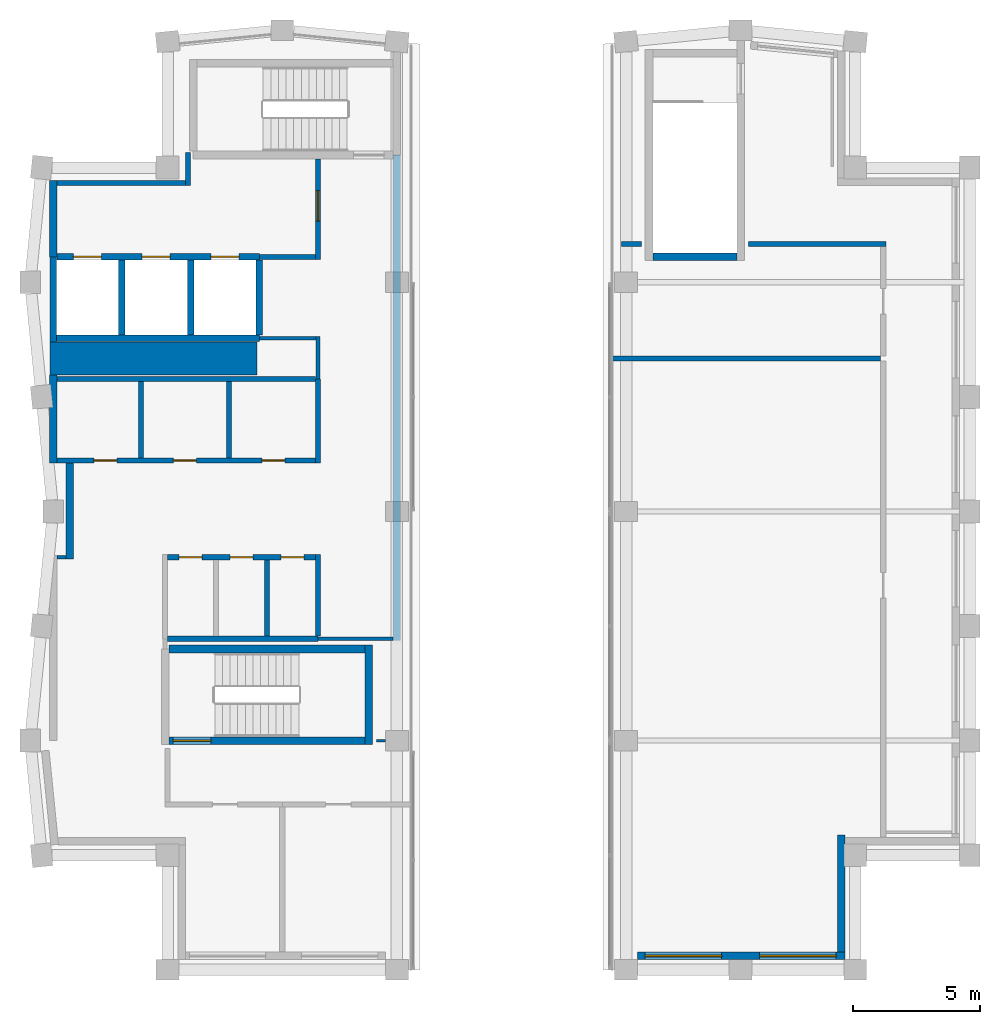
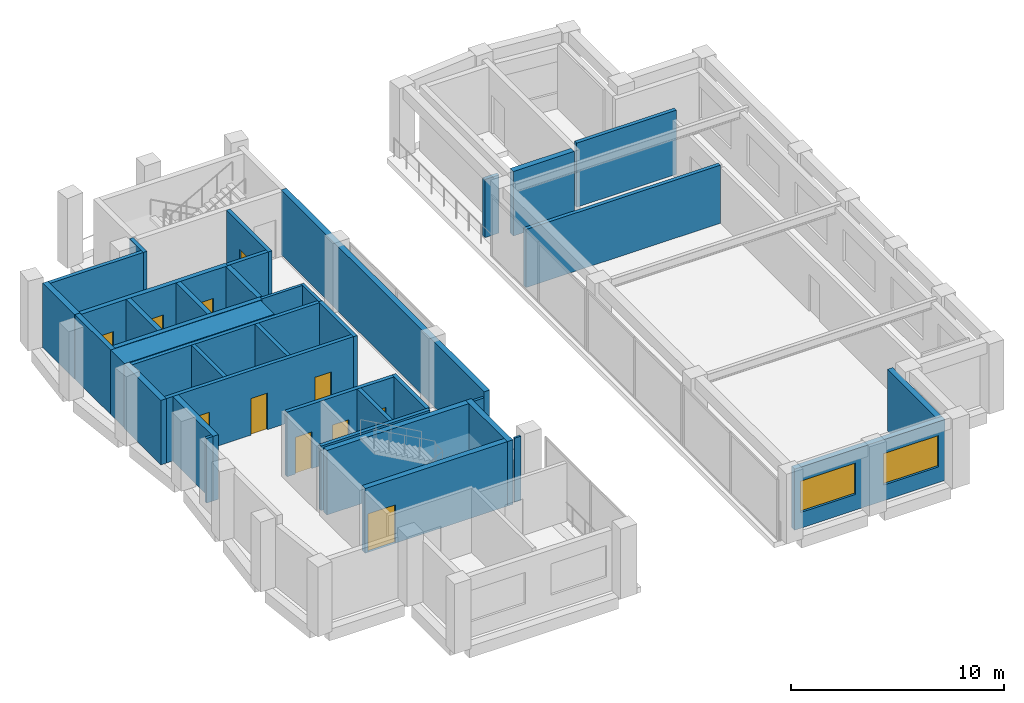
# One storey, part 7 of 9: 38 walls, 11 doors, 2 windows, 13 openings.
"""IFC4 building model written with IfcOpenShell, lengths in metres."""

from ifc_helpers import new_model, si_unit, direction, frame, frame_2d, origin, place, context, subcontext, project, spatial, rectangle, extrude, material, layer, layer_set, type_object, element, fill, save


model = new_model("IFC4")

# Units and contexts
model_context = context("Model", 3, precision=1e-05, world=origin(), true_north=direction((0.0, 1.0)))
body_context = subcontext(model_context, "Body", "Model", "MODEL_VIEW")
ifc_project = project(units=[si_unit("LENGTHUNIT", "METRE"), si_unit("AREAUNIT", "SQUARE_METRE"), si_unit("VOLUMEUNIT", "CUBIC_METRE"), si_unit("PLANEANGLEUNIT", "RADIAN"), si_unit("MASSUNIT", "GRAM", prefix="KILO")], contexts=[model_context])

# Site, building, storey
site_placement = place(None, origin())
site = spatial("IfcSite", under=ifc_project, at=site_placement, CompositionType="ELEMENT")
building_placement = place(site_placement, origin())
building = spatial("IfcBuilding", under=site, at=building_placement, Name="Brondeck Convention Tower", CompositionType="ELEMENT")
storey_placement = place(building_placement, frame((0.0, 0.0, 294.800048828125)))
storey = spatial("IfcBuildingStorey", under=building, at=storey_placement, Name="L73", CompositionType="ELEMENT", Elevation=294.800048828125)

# Walls
ifc_material_1 = material(Name="Concrete C50/60", Category="concrete")
ifc_layer_1 = layer(ifc_material_1, 0.300048828125)
ifc_layer_set_1 = layer_set([ifc_layer_1], Name="Core outer wall 300 Concrete C50/60")
wall_type_1 = type_object("IfcWallType", Name="Core outer wall 300 Concrete C50/60", PredefinedType="SHEAR", material=ifc_layer_set_1)
wall_1_placement = place(storey_placement, frame((0.0, 46.89990234375, 0.0), z_axis=(0.0, 0.0, 1.0), x_axis=(0.0, 1.0, 0.0)))
element("IfcWall", 1, at=wall_1_placement, inside=storey, type_object=wall_type_1, Name="L73 core wall", PredefinedType="SHEAR", context=body_context, shape_type="SweptSolid", body=[
    extrude(rectangle(XDim=3.4501953125, YDim=0.300048828125, at=frame_2d((1.72509765625, 0.0))), origin(), (0.0, 0.0, 1.0), 3.699951171875),
])
wall_2_placement = place(storey_placement, frame((0.0, 55.0, 0.0), z_axis=(0.0, 0.0, 1.0), x_axis=(0.0, 1.0, 0.0)))
element("IfcWall", 2, at=wall_2_placement, inside=storey, type_object=wall_type_1, Name="L73 core wall", PredefinedType="SHEAR", context=body_context, shape_type="SweptSolid", body=[
    extrude(rectangle(XDim=3.0, YDim=0.300048828125, at=frame_2d((1.5, 0.0))), origin(), (0.0, 0.0, 1.0), 3.699951171875),
])
wall_3_placement = place(storey_placement, frame((0.64990234375, 43.125, 0.0), z_axis=(0.0, 0.0, 1.0), x_axis=(0.0, 1.0, 0.0)))
element("IfcWall", 3, at=wall_3_placement, inside=storey, type_object=wall_type_1, Name="L73 core wall", PredefinedType="SHEAR", context=body_context, shape_type="SweptSolid", body=[
    extrude(rectangle(XDim=3.77490234375, YDim=0.300048828125, at=frame_2d((1.887451171875, 0.0))), origin(), (0.0, 0.0, 1.0), 3.699951171875),
])
wall_4_placement = place(storey_placement, frame((13.5, 39.925048828125, 0.0), z_axis=(0.0, 0.0, 1.0), x_axis=(0.0, 1.0, 0.0)))
element("IfcWall", 4, at=wall_4_placement, inside=storey, type_object=wall_type_1, Name="L73 core wall", PredefinedType="SHEAR", context=body_context, shape_type="SweptSolid", body=[
    extrude(rectangle(XDim=19.074951171875, YDim=0.300048828125, at=frame_2d((9.53759765625, 0.0))), origin(), (0.0, 0.0, 1.0), 3.699951171875),
])
ifc_material_2 = material(Name="Fire-rated gypsum board partition")
ifc_layer_2 = layer(ifc_material_2, 0.14990234375)
ifc_layer_set_2 = layer_set([ifc_layer_2], Name="Core partition 150 EI 60")
wall_type_2 = type_object("IfcWallType", Name="Core partition 150 EI 60", PredefinedType="PARTITIONING", material=ifc_layer_set_2)
wall_5_placement = place(storey_placement, frame((10.39990234375, 40.0, 0.0), z_axis=(0.0, 0.0, 1.0), x_axis=(1.0, 0.0, 0.0)))
element("IfcWall", 5, at=wall_5_placement, inside=storey, type_object=wall_type_2, Name="L73 core wall", PredefinedType="PARTITIONING", context=body_context, shape_type="SweptSolid", body=[
    extrude(rectangle(XDim=2.9501953125, YDim=0.14990234375, at=frame_2d((1.47509765625, 0.0))), origin(), (0.0, 0.0, 1.0), 3.349853515625),
])
wall_6_placement = place(storey_placement, frame((0.14990234375, 43.199951171875, 0.0), z_axis=(0.0, 0.0, 1.0), x_axis=(1.0, 0.0, 0.0)))
element("IfcWall", 6, at=wall_6_placement, inside=storey, type_object=wall_type_2, Name="L73 core wall", PredefinedType="PARTITIONING", context=body_context, shape_type="SweptSolid", body=[
    extrude(rectangle(XDim=0.35009765625, YDim=0.14990234375, at=frame_2d((0.175048828125, 0.0))), origin(), (0.0, 0.0, 1.0), 3.699951171875),
])
wall_7_placement = place(storey_placement, frame((8.10009765625, 51.800048828125, 0.0), z_axis=(0.0, 0.0, 1.0), x_axis=(1.0, 0.0, 0.0)))
element("IfcWall", 7, at=wall_7_placement, inside=storey, type_object=wall_type_2, Name="L73 core wall", PredefinedType="PARTITIONING", context=body_context, shape_type="SweptSolid", body=[
    extrude(rectangle(XDim=2.224853515625, YDim=0.14990234375, at=frame_2d((1.1123046875, 0.0))), origin(), (0.0, 0.0, 1.0), 3.699951171875),
])
wall_8_placement = place(storey_placement, frame((10.39990234375, 50.199951171875, 0.0), z_axis=(0.0, 0.0, 1.0), x_axis=(0.0, 1.0, 0.0)))
element("IfcWall", 8, at=wall_8_placement, inside=storey, type_object=wall_type_2, Name="L73 core wall", PredefinedType="PARTITIONING", context=body_context, shape_type="SweptSolid", body=[
    extrude(rectangle(XDim=1.675048828125, YDim=0.14990234375, at=frame_2d((0.83740234375, 0.0))), origin(), (0.0, 0.0, 1.0), 3.699951171875),
])
ifc_layer_3 = layer(ifc_material_1, 1.300048828125)
ifc_layer_set_3 = layer_set([ifc_layer_3], Name="Core shear wall 1300 Concrete C50/60")
wall_type_3 = type_object("IfcWallType", Name="Core shear wall 1300 Concrete C50/60", PredefinedType="SHEAR", material=ifc_layer_set_3)
wall_9_placement = place(storey_placement, frame((-0.125, 51.0, 0.0), z_axis=(0.0, 0.0, 1.0), x_axis=(1.0, 0.0, 0.0)))
element("IfcWall", 9, at=wall_9_placement, inside=storey, type_object=wall_type_3, Name="L73 core wall", PredefinedType="SHEAR", context=body_context, shape_type="SweptSolid", body=[
    extrude(rectangle(XDim=8.125, YDim=1.300048828125, at=frame_2d((4.0625, 0.0))), origin(), (0.0, 0.0, 1.0), 3.699951171875),
])

# Wall, openings, windows
ifc_material_3 = material(Name="Precast concrete C50/60 bronze finish", Category="concrete")
ifc_layer_4 = layer(ifc_material_3, 0.070068359375, Name="Bronze precast facing")
ifc_material_4 = material(Name="Mineral wool")
ifc_layer_5 = layer(ifc_material_4, 0.159912109375, Name="Insulation")
ifc_material_5 = material(Name="Concrete C35/45", Category="concrete")
ifc_layer_6 = layer(ifc_material_5, 0.070068359375, Name="Backing")
ifc_layer_set_4 = layer_set([ifc_layer_4, ifc_layer_5, ifc_layer_6], Name="External infill wall, precast concrete C50/60 bronze facing")
wall_type_4 = type_object("IfcWallType", Name="External infill wall, precast concrete C50/60 bronze facing", PredefinedType="SOLIDWALL", material=ifc_layer_set_4)
wall_10_placement = place(storey_placement, frame((31.10009765625, 27.550048828125, 0.0), z_axis=(0.0, 0.0, 1.0), x_axis=(-1.0, 0.0, 0.0)))
wall_10 = element("IfcWall", 10, at=wall_10_placement, inside=storey, type_object=wall_type_4, Name="ENV-EW-L73-K2-K-S-00", PredefinedType="SOLIDWALL", context=body_context, shape_type="SweptSolid", body=[
    extrude(rectangle(XDim=8.150146484375, YDim=0.300048828125, at=frame_2d((4.0751953125, 0.0))), origin(), (0.0, 0.0, 1.0), 3.5),
])
opening_1_placement = place(wall_10_placement, frame((0.35009765625, 0.0, 0.89990234375)))
opening_1 = element("IfcOpeningElement", 11, at=opening_1_placement, cuts=wall_10, Name="Opening W8", PredefinedType="OPENING", context=body_context, shape_type="SweptSolid", body=[
    extrude(rectangle(XDim=3.0, YDim=1.800048828125, at=frame_2d((1.5, 0.89990234375))), frame((0.0, 0.159912109375, 0.0), z_axis=(0.0, -1.0, 0.0), x_axis=(1.0, 0.0, 0.0)), (0.0, 0.0, 1.0), 0.320068359375),
])
opening_2_placement = place(wall_10_placement, frame((4.85009765625, 0.0, 0.89990234375)))
opening_2 = element("IfcOpeningElement", 12, at=opening_2_placement, cuts=wall_10, Name="Opening W8", PredefinedType="OPENING", context=body_context, shape_type="SweptSolid", body=[
    extrude(rectangle(XDim=3.0, YDim=1.800048828125, at=frame_2d((1.5, 0.89990234375))), frame((0.0, 0.159912109375, 0.0), z_axis=(0.0, -1.0, 0.0), x_axis=(1.0, 0.0, 0.0)), (0.0, 0.0, 1.0), 0.320068359375),
])
ifc_material_6 = material(Name="Bronze tinted double glazing", Category="glass")
window_type = type_object("IfcWindowType", Name="Crown plant storey window, bronze tinted", PartitioningType="SINGLE_PANEL", PredefinedType="WINDOW", material=ifc_material_6)
window_1_placement = place(opening_1_placement, origin())
window_1 = element("IfcWindow", 13, at=window_1_placement, inside=storey, type_object=window_type, Name="ENV-WN-L73-K2-K-S-01", OverallHeight=1.800048828125, OverallWidth=3.0, PartitioningType="SINGLE_PANEL", PredefinedType="WINDOW", context=body_context, shape_type="SweptSolid", body=[
    extrude(rectangle(XDim=3.0, YDim=1.800048828125, at=frame_2d((1.5, 0.89990234375))), frame((0.0, 0.030029296875, 0.0), z_axis=(0.0, -1.0, 0.0), x_axis=(1.0, 0.0, 0.0)), (0.0, 0.0, 1.0), 0.06005859375),
])
fill(opening_1, window_1)
window_2_placement = place(opening_2_placement, origin())
window_2 = element("IfcWindow", 14, at=window_2_placement, inside=storey, type_object=window_type, Name="ENV-WN-L73-K2-K-S-00", OverallHeight=1.800048828125, OverallWidth=3.0, PartitioningType="SINGLE_PANEL", PredefinedType="WINDOW", context=body_context, shape_type="SweptSolid", body=[
    extrude(rectangle(XDim=3.0, YDim=1.800048828125, at=frame_2d((1.5, 0.89990234375))), frame((0.0, 0.030029296875, 0.0), z_axis=(0.0, -1.0, 0.0), x_axis=(1.0, 0.0, 0.0)), (0.0, 0.0, 1.0), 0.06005859375),
])
fill(opening_2, window_2)

# Walls
wall_11_placement = place(storey_placement, frame((30.949951171875, 32.300048828125, 0.0), z_axis=(0.0, 0.0, 1.0), x_axis=(0.0, -1.0, 0.0)))
element("IfcWall", 15, at=wall_11_placement, inside=storey, type_object=wall_type_4, Name="ENV-EW-L73-K2-NC-KSE-01", PredefinedType="SOLIDWALL", context=body_context, shape_type="SweptSolid", body=[
    extrude(rectangle(XDim=4.60009765625, YDim=0.300048828125, at=frame_2d((2.300048828125, 0.0))), origin(), (0.0, 0.0, 1.0), 3.5),
])
ifc_layer_7 = layer(ifc_material_2, 0.199951171875)
ifc_layer_set_5 = layer_set([ifc_layer_7], Name="Firefighting lobby wall 200 EI 120")
wall_type_5 = type_object("IfcWallType", Name="Firefighting lobby wall 200 EI 120", PredefinedType="PARTITIONING", material=ifc_layer_set_5)
wall_12_placement = place(storey_placement, frame((8.10009765625, 55.0, 0.0), z_axis=(0.0, 0.0, 1.0), x_axis=(1.0, 0.0, 0.0)))
element("IfcWall", 16, at=wall_12_placement, inside=storey, type_object=wall_type_5, Name="L73 core wall", PredefinedType="PARTITIONING", context=body_context, shape_type="SweptSolid", body=[
    extrude(rectangle(XDim=2.199951171875, YDim=0.199951171875, at=frame_2d((1.10009765625, 0.0))), origin(), (0.0, 0.0, 1.0), 3.699951171875),
])
wall_13_placement = place(storey_placement, frame((0.14990234375, 57.89990234375, 0.0), z_axis=(0.0, 0.0, 1.0), x_axis=(1.0, 0.0, 0.0)))
element("IfcWall", 17, at=wall_13_placement, inside=storey, type_object=wall_type_5, Name="L73 core wall", PredefinedType="PARTITIONING", context=body_context, shape_type="SweptSolid", body=[
    extrude(rectangle(XDim=5.050048828125, YDim=0.199951171875, at=frame_2d((2.52490234375, 0.0))), origin(), (0.0, 0.0, 1.0), 3.699951171875),
])
wall_14_placement = place(storey_placement, frame((5.300048828125, 57.800048828125, 0.0), z_axis=(0.0, 0.0, 1.0), x_axis=(0.0, 1.0, 0.0)))
element("IfcWall", 18, at=wall_14_placement, inside=storey, type_object=wall_type_5, Name="L73 core wall", PredefinedType="PARTITIONING", context=body_context, shape_type="SweptSolid", body=[
    extrude(rectangle(XDim=1.300048828125, YDim=0.199951171875, at=frame_2d((0.64990234375, 0.0))), origin(), (0.0, 0.0, 1.0), 3.699951171875),
])

# Wall, opening, door
wall_15_placement = place(storey_placement, frame((10.39990234375, 54.89990234375, 0.0), z_axis=(0.0, 0.0, 1.0), x_axis=(0.0, 1.0, 0.0)))
wall_15 = element("IfcWall", 19, at=wall_15_placement, inside=storey, type_object=wall_type_5, Name="L73 core wall", PredefinedType="PARTITIONING", context=body_context, shape_type="SweptSolid", body=[
    extrude(rectangle(XDim=3.9501953125, YDim=0.199951171875, at=frame_2d((1.97509765625, 0.0))), origin(), (0.0, 0.0, 1.0), 3.699951171875),
])
opening_3_placement = place(wall_15_placement, frame((1.5, 0.0, 0.0)))
opening_3 = element("IfcOpeningElement", 20, at=opening_3_placement, cuts=wall_15, Name="Opening C42-01", PredefinedType="OPENING", context=body_context, shape_type="SweptSolid", body=[
    extrude(rectangle(XDim=1.199951171875, YDim=2.199951171875, at=frame_2d((0.60009765625, 1.10009765625))), frame((0.0, 0.10986328125, 0.0), z_axis=(0.0, -1.0, 0.0), x_axis=(1.0, 0.0, 0.0)), (0.0, 0.0, 1.0), 0.219970703125),
])
ifc_material_7 = material(Name="Steel fire door", Category="steel")
door_type_1 = type_object("IfcDoorType", Name="Firefighting lobby door 1200x2200 EI 120", OperationType="NOTDEFINED", PredefinedType="DOOR", material=ifc_material_7)
door_1_placement = place(opening_3_placement, origin())
door_1 = element("IfcDoor", 21, at=door_1_placement, inside=storey, type_object=door_type_1, Name="L73 Firefighting lobby door FFL-1", OperationType="SINGLE_SWING_RIGHT", OverallHeight=2.199951171875, OverallWidth=1.199951171875, PredefinedType="DOOR", context=body_context, shape_type="SweptSolid", body=[
    extrude(rectangle(XDim=1.199951171875, YDim=2.199951171875, at=frame_2d((0.60009765625, 1.10009765625))), frame((0.0, 0.02490234375, 0.0), z_axis=(0.0, -1.0, 0.0), x_axis=(1.0, 0.0, 0.0)), (0.0, 0.0, 1.0), 0.050048828125),
])
fill(opening_3, door_1)

# Wall
ifc_layer_8 = layer(ifc_material_1, 0.25)
ifc_layer_set_6 = layer_set([ifc_layer_8], Name="Lift shaft wall 250 Concrete C50/60")
wall_type_6 = type_object("IfcWallType", Name="Lift shaft wall 250 Concrete C50/60", PredefinedType="SHEAR", material=ifc_layer_set_6)
wall_16_placement = place(storey_placement, frame((0.125, 51.800048828125, 0.0), z_axis=(0.0, 0.0, 1.0), x_axis=(1.0, 0.0, 0.0)))
element("IfcWall", 22, at=wall_16_placement, inside=storey, type_object=wall_type_6, Name="L73 core wall", PredefinedType="SHEAR", context=body_context, shape_type="SweptSolid", body=[
    extrude(rectangle(XDim=7.97509765625, YDim=0.25, at=frame_2d((3.987548828125, 0.0))), origin(), (0.0, 0.0, 1.0), 3.699951171875),
])

# Wall, openings, doors
wall_17_placement = place(storey_placement, frame((0.14990234375, 55.0, 0.0), z_axis=(0.0, 0.0, 1.0), x_axis=(1.0, 0.0, 0.0)))
wall_17 = element("IfcWall", 23, at=wall_17_placement, inside=storey, type_object=wall_type_6, Name="L73 core wall", PredefinedType="SHEAR", context=body_context, shape_type="SweptSolid", body=[
    extrude(rectangle(XDim=7.9501953125, YDim=0.25, at=frame_2d((3.97509765625, 0.0))), origin(), (0.0, 0.0, 1.0), 3.699951171875),
])
opening_4_placement = place(wall_17_placement, frame((0.64990234375, 0.0, 0.0)))
opening_4 = element("IfcOpeningElement", 24, at=opening_4_placement, cuts=wall_17, Name="Opening C42-11", PredefinedType="OPENING", context=body_context, shape_type="SweptSolid", body=[
    extrude(rectangle(XDim=1.10009765625, YDim=2.10009765625, at=frame_2d((0.550048828125, 1.050048828125))), frame((0.0, 0.135009765625, 0.0), z_axis=(0.0, -1.0, 0.0), x_axis=(1.0, 0.0, 0.0)), (0.0, 0.0, 1.0), 0.27001953125),
])
opening_5_placement = place(wall_17_placement, frame((3.35009765625, 0.0, 0.0)))
opening_5 = element("IfcOpeningElement", 25, at=opening_5_placement, cuts=wall_17, Name="Opening C42-12", PredefinedType="OPENING", context=body_context, shape_type="SweptSolid", body=[
    extrude(rectangle(XDim=1.10009765625, YDim=2.10009765625, at=frame_2d((0.550048828125, 1.050048828125))), frame((0.0, 0.135009765625, 0.0), z_axis=(0.0, -1.0, 0.0), x_axis=(1.0, 0.0, 0.0)), (0.0, 0.0, 1.0), 0.27001953125),
])
opening_6_placement = place(wall_17_placement, frame((6.050048828125, 0.0, 0.0)))
opening_6 = element("IfcOpeningElement", 26, at=opening_6_placement, cuts=wall_17, Name="Opening C42-13", PredefinedType="OPENING", context=body_context, shape_type="SweptSolid", body=[
    extrude(rectangle(XDim=1.10009765625, YDim=2.10009765625, at=frame_2d((0.550048828125, 1.050048828125))), frame((0.0, 0.135009765625, 0.0), z_axis=(0.0, -1.0, 0.0), x_axis=(1.0, 0.0, 0.0)), (0.0, 0.0, 1.0), 0.27001953125),
])
ifc_material_8 = material(Name="Stainless steel lift door", Category="steel")
door_type_2 = type_object("IfcDoorType", Name="Lift landing door 1100x2100 EI 180", OperationType="DOUBLE_DOOR_SLIDING", PredefinedType="DOOR", material=ifc_material_8)
door_2_placement = place(opening_4_placement, origin())
door_2 = element("IfcDoor", 27, at=door_2_placement, inside=storey, type_object=door_type_2, Name="L73 Lift landing door FF1", OperationType="DOUBLE_DOOR_SLIDING", OverallHeight=2.10009765625, OverallWidth=1.10009765625, PredefinedType="DOOR", context=body_context, shape_type="SweptSolid", body=[
    extrude(rectangle(XDim=1.10009765625, YDim=2.10009765625, at=frame_2d((0.550048828125, 1.050048828125))), frame((0.0, 0.02490234375, 0.0), z_axis=(0.0, -1.0, 0.0), x_axis=(1.0, 0.0, 0.0)), (0.0, 0.0, 1.0), 0.050048828125),
])
fill(opening_4, door_2)
door_3_placement = place(opening_5_placement, origin())
door_3 = element("IfcDoor", 28, at=door_3_placement, inside=storey, type_object=door_type_2, Name="L73 Lift landing door FF2", OperationType="DOUBLE_DOOR_SLIDING", OverallHeight=2.10009765625, OverallWidth=1.10009765625, PredefinedType="DOOR", context=body_context, shape_type="SweptSolid", body=[
    extrude(rectangle(XDim=1.10009765625, YDim=2.10009765625, at=frame_2d((0.550048828125, 1.050048828125))), frame((0.0, 0.02490234375, 0.0), z_axis=(0.0, -1.0, 0.0), x_axis=(1.0, 0.0, 0.0)), (0.0, 0.0, 1.0), 0.050048828125),
])
fill(opening_5, door_3)
door_4_placement = place(opening_6_placement, origin())
door_4 = element("IfcDoor", 29, at=door_4_placement, inside=storey, type_object=door_type_2, Name="L73 Lift landing door FF3", OperationType="DOUBLE_DOOR_SLIDING", OverallHeight=2.10009765625, OverallWidth=1.10009765625, PredefinedType="DOOR", context=body_context, shape_type="SweptSolid", body=[
    extrude(rectangle(XDim=1.10009765625, YDim=2.10009765625, at=frame_2d((0.550048828125, 1.050048828125))), frame((0.0, 0.02490234375, 0.0), z_axis=(0.0, -1.0, 0.0), x_axis=(1.0, 0.0, 0.0)), (0.0, 0.0, 1.0), 0.050048828125),
])
fill(opening_6, door_4)

# Walls
wall_18_placement = place(storey_placement, frame((0.0, 51.64990234375, 0.0), z_axis=(0.0, 0.0, 1.0), x_axis=(0.0, 1.0, 0.0)))
element("IfcWall", 30, at=wall_18_placement, inside=storey, type_object=wall_type_6, Name="L73 core wall", PredefinedType="SHEAR", context=body_context, shape_type="SweptSolid", body=[
    extrude(rectangle(XDim=3.35009765625, YDim=0.25, at=frame_2d((1.675048828125, 0.0))), origin(), (0.0, 0.0, 1.0), 3.699951171875),
])
for number, where, z_axis, x_axis, name in (
    (31, (2.699951171875, 51.925048828125, 0.0), (0.0, 0.0, 1.0), (0.0, 1.0, 0.0), "L73 core wall"),
    (32, (5.39990234375, 51.925048828125, 0.0), (0.0, 0.0, 1.0), (0.0, 1.0, 0.0), "L73 core wall"),
    (33, (8.10009765625, 51.925048828125, 0.0), (0.0, 0.0, 1.0), (0.0, 1.0, 0.0), "L73 core wall"),
):
    element("IfcWall", number, at=place(storey_placement, frame(where, z_axis=z_axis, x_axis=x_axis)), inside=storey, type_object=wall_type_6, Name=name, PredefinedType="SHEAR", context=body_context, shape_type="SweptSolid", body=[
        extrude(rectangle(XDim=2.949951171875, YDim=0.25, at=frame_2d((1.47509765625, 0.0))), origin(), (0.0, 0.0, 1.0), 3.699951171875),
    ])
ifc_material_9 = material(Name="Concrete block wall C16/20", Category="concrete")
ifc_layer_9 = layer(ifc_material_9, 0.199951171875)
ifc_layer_set_7 = layer_set([ifc_layer_9], Name="Plant room wall 200")
wall_type_7 = type_object("IfcWallType", Name="Plant room wall 200", PredefinedType="PARTITIONING", material=ifc_layer_set_7)
wall_19_placement = place(storey_placement, frame((21.93994140625, 51.0, 0.0), z_axis=(0.0, 0.0, 1.0), x_axis=(1.0, 0.0, 0.0)))
element("IfcWall", 34, at=wall_19_placement, inside=storey, type_object=wall_type_7, Name="FLR-L73-W008", PredefinedType="PARTITIONING", context=body_context, shape_type="SweptSolid", body=[
    extrude(rectangle(XDim=10.56005859375, YDim=0.199951171875, at=frame_2d((5.280029296875, 0.0))), origin(), (0.0, 0.0, 1.0), 3.329833984375),
])
wall_20_placement = place(storey_placement, frame((22.320068359375, 55.5, 0.0), z_axis=(0.0, 0.0, 1.0), x_axis=(1.0, 0.0, 0.0)))
element("IfcWall", 35, at=wall_20_placement, inside=storey, type_object=wall_type_7, Name="FLR-L73-W010", PredefinedType="PARTITIONING", context=body_context, shape_type="SweptSolid", body=[
    extrude(rectangle(XDim=0.780029296875, YDim=0.199951171875, at=frame_2d((0.39013671875, 0.0))), origin(), (0.0, 0.0, 1.0), 3.329833984375),
])
wall_21_placement = place(storey_placement, frame((32.699951171875, 55.5, 0.0), z_axis=(0.0, 0.0, 1.0), x_axis=(-1.0, 0.0, 0.0)))
element("IfcWall", 36, at=wall_21_placement, inside=storey, type_object=wall_type_7, Name="FLR-L73-W011", PredefinedType="PARTITIONING", context=body_context, shape_type="SweptSolid", body=[
    extrude(rectangle(XDim=5.39990234375, YDim=0.199951171875, at=frame_2d((2.699951171875, 0.0))), origin(), (0.0, 0.0, 1.0), 3.679931640625),
])
ifc_layer_10 = layer(ifc_material_2, 0.199951171875)
ifc_layer_set_8 = layer_set([ifc_layer_10], Name="Plant room wall 200 EI 120")
wall_type_8 = type_object("IfcWallType", Name="Plant room wall 200 EI 120", PredefinedType="PARTITIONING", material=ifc_layer_set_8)
wall_22_placement = place(storey_placement, frame((4.5, 40.0, 0.0), z_axis=(0.0, 0.0, 1.0), x_axis=(1.0, 0.0, 0.0)))
element("IfcWall", 37, at=wall_22_placement, inside=storey, type_object=wall_type_8, Name="L73 core wall", PredefinedType="PARTITIONING", context=body_context, shape_type="SweptSolid", body=[
    extrude(rectangle(XDim=5.89990234375, YDim=0.199951171875, at=frame_2d((2.949951171875, 0.0))), origin(), (0.0, 0.0, 1.0), 3.699951171875),
])

# Wall, openings, doors
wall_23_placement = place(storey_placement, frame((4.5, 43.199951171875, 0.0), z_axis=(0.0, 0.0, 1.0), x_axis=(1.0, 0.0, 0.0)))
wall_23 = element("IfcWall", 38, at=wall_23_placement, inside=storey, type_object=wall_type_8, Name="L73 core wall", PredefinedType="PARTITIONING", context=body_context, shape_type="SweptSolid", body=[
    extrude(rectangle(XDim=5.800048828125, YDim=0.199951171875, at=frame_2d((2.89990234375, 0.0))), origin(), (0.0, 0.0, 1.0), 3.699951171875),
])
opening_7_placement = place(wall_23_placement, frame((0.449951171875, 0.0, 0.0)))
opening_7 = element("IfcOpeningElement", 39, at=opening_7_placement, cuts=wall_23, Name="Opening C42-05", PredefinedType="OPENING", context=body_context, shape_type="SweptSolid", body=[
    extrude(rectangle(XDim=0.89990234375, YDim=2.10009765625, at=frame_2d((0.449951171875, 1.050048828125))), frame((0.0, 0.10986328125, 0.0), z_axis=(0.0, -1.0, 0.0), x_axis=(1.0, 0.0, 0.0)), (0.0, 0.0, 1.0), 0.219970703125),
])
opening_8_placement = place(wall_23_placement, frame((2.449951171875, 0.0, 0.0)))
opening_8 = element("IfcOpeningElement", 40, at=opening_8_placement, cuts=wall_23, Name="Opening C42-06", PredefinedType="OPENING", context=body_context, shape_type="SweptSolid", body=[
    extrude(rectangle(XDim=0.89990234375, YDim=2.10009765625, at=frame_2d((0.449951171875, 1.050048828125))), frame((0.0, 0.10986328125, 0.0), z_axis=(0.0, -1.0, 0.0), x_axis=(1.0, 0.0, 0.0)), (0.0, 0.0, 1.0), 0.219970703125),
])
opening_9_placement = place(wall_23_placement, frame((4.449951171875, 0.0, 0.0)))
opening_9 = element("IfcOpeningElement", 41, at=opening_9_placement, cuts=wall_23, Name="Opening C42-07", PredefinedType="OPENING", context=body_context, shape_type="SweptSolid", body=[
    extrude(rectangle(XDim=0.89990234375, YDim=2.10009765625, at=frame_2d((0.449951171875, 1.050048828125))), frame((0.0, 0.10986328125, 0.0), z_axis=(0.0, -1.0, 0.0), x_axis=(1.0, 0.0, 0.0)), (0.0, 0.0, 1.0), 0.219970703125),
])
door_type_3 = type_object("IfcDoorType", Name="Room door 900x2100 EI 120", OperationType="NOTDEFINED", PredefinedType="DOOR", material=ifc_material_7)
door_5_placement = place(opening_7_placement, origin())
door_5 = element("IfcDoor", 42, at=door_5_placement, inside=storey, type_object=door_type_3, Name="L73 Room door FZ-S-4.4-1", OperationType="SINGLE_SWING_LEFT", OverallHeight=2.10009765625, OverallWidth=0.89990234375, PredefinedType="DOOR", context=body_context, shape_type="SweptSolid", body=[
    extrude(rectangle(XDim=0.89990234375, YDim=2.10009765625, at=frame_2d((0.449951171875, 1.050048828125))), frame((0.0, 0.02490234375, 0.0), z_axis=(0.0, -1.0, 0.0), x_axis=(1.0, 0.0, 0.0)), (0.0, 0.0, 1.0), 0.050048828125),
])
fill(opening_7, door_5)
door_6_placement = place(opening_8_placement, origin())
door_6 = element("IfcDoor", 43, at=door_6_placement, inside=storey, type_object=door_type_3, Name="L73 Room door FZ-S-4.4-2", OperationType="SINGLE_SWING_RIGHT", OverallHeight=2.10009765625, OverallWidth=0.89990234375, PredefinedType="DOOR", context=body_context, shape_type="SweptSolid", body=[
    extrude(rectangle(XDim=0.89990234375, YDim=2.10009765625, at=frame_2d((0.449951171875, 1.050048828125))), frame((0.0, 0.02490234375, 0.0), z_axis=(0.0, -1.0, 0.0), x_axis=(1.0, 0.0, 0.0)), (0.0, 0.0, 1.0), 0.050048828125),
])
fill(opening_8, door_6)
door_7_placement = place(opening_9_placement, origin())
door_7 = element("IfcDoor", 44, at=door_7_placement, inside=storey, type_object=door_type_3, Name="L73 Room door FZ-S-4.4-3", OperationType="SINGLE_SWING_LEFT", OverallHeight=2.10009765625, OverallWidth=0.89990234375, PredefinedType="DOOR", context=body_context, shape_type="SweptSolid", body=[
    extrude(rectangle(XDim=0.89990234375, YDim=2.10009765625, at=frame_2d((0.449951171875, 1.050048828125))), frame((0.0, 0.02490234375, 0.0), z_axis=(0.0, -1.0, 0.0), x_axis=(1.0, 0.0, 0.0)), (0.0, 0.0, 1.0), 0.050048828125),
])
fill(opening_9, door_7)

wall_24_placement = place(storey_placement, frame((0.14990234375, 47.0, 0.0), z_axis=(0.0, 0.0, 1.0), x_axis=(1.0, 0.0, 0.0)))
wall_24 = element("IfcWall", 45, at=wall_24_placement, inside=storey, type_object=wall_type_8, Name="L73 core wall", PredefinedType="PARTITIONING", context=body_context, shape_type="SweptSolid", body=[
    extrude(rectangle(XDim=10.150146484375, YDim=0.199951171875, at=frame_2d((5.0751953125, 0.0))), origin(), (0.0, 0.0, 1.0), 3.699951171875),
])
opening_10_placement = place(wall_24_placement, frame((1.449951171875, 0.0, 0.0)))
opening_10 = element("IfcOpeningElement", 46, at=opening_10_placement, cuts=wall_24, Name="Opening C42-02", PredefinedType="OPENING", context=body_context, shape_type="SweptSolid", body=[
    extrude(rectangle(XDim=0.89990234375, YDim=2.10009765625, at=frame_2d((0.449951171875, 1.050048828125))), frame((0.0, 0.10986328125, 0.0), z_axis=(0.0, -1.0, 0.0), x_axis=(1.0, 0.0, 0.0)), (0.0, 0.0, 1.0), 0.219970703125),
])
opening_11_placement = place(wall_24_placement, frame((4.574951171875, 0.0, 0.0)))
opening_11 = element("IfcOpeningElement", 47, at=opening_11_placement, cuts=wall_24, Name="Opening C42-03", PredefinedType="OPENING", context=body_context, shape_type="SweptSolid", body=[
    extrude(rectangle(XDim=0.89990234375, YDim=2.10009765625, at=frame_2d((0.449951171875, 1.050048828125))), frame((0.0, 0.10986328125, 0.0), z_axis=(0.0, -1.0, 0.0), x_axis=(1.0, 0.0, 0.0)), (0.0, 0.0, 1.0), 0.219970703125),
])
opening_12_placement = place(wall_24_placement, frame((8.050048828125, 0.0, 0.0)))
opening_12 = element("IfcOpeningElement", 48, at=opening_12_placement, cuts=wall_24, Name="Opening C42-04", PredefinedType="OPENING", context=body_context, shape_type="SweptSolid", body=[
    extrude(rectangle(XDim=0.89990234375, YDim=2.10009765625, at=frame_2d((0.449951171875, 1.050048828125))), frame((0.0, 0.10986328125, 0.0), z_axis=(0.0, -1.0, 0.0), x_axis=(1.0, 0.0, 0.0)), (0.0, 0.0, 1.0), 0.219970703125),
])
door_8_placement = place(opening_10_placement, origin())
door_8 = element("IfcDoor", 49, at=door_8_placement, inside=storey, type_object=door_type_3, Name="L73 Room door FZ-N-0-1", OperationType="SINGLE_SWING_RIGHT", OverallHeight=2.10009765625, OverallWidth=0.89990234375, PredefinedType="DOOR", context=body_context, shape_type="SweptSolid", body=[
    extrude(rectangle(XDim=0.89990234375, YDim=2.10009765625, at=frame_2d((0.449951171875, 1.050048828125))), frame((0.0, 0.02490234375, 0.0), z_axis=(0.0, -1.0, 0.0), x_axis=(1.0, 0.0, 0.0)), (0.0, 0.0, 1.0), 0.050048828125),
])
fill(opening_10, door_8)
door_9_placement = place(opening_11_placement, origin())
door_9 = element("IfcDoor", 50, at=door_9_placement, inside=storey, type_object=door_type_3, Name="L73 Room door FZ-N-0-2", OperationType="SINGLE_SWING_LEFT", OverallHeight=2.10009765625, OverallWidth=0.89990234375, PredefinedType="DOOR", context=body_context, shape_type="SweptSolid", body=[
    extrude(rectangle(XDim=0.89990234375, YDim=2.10009765625, at=frame_2d((0.449951171875, 1.050048828125))), frame((0.0, 0.02490234375, 0.0), z_axis=(0.0, -1.0, 0.0), x_axis=(1.0, 0.0, 0.0)), (0.0, 0.0, 1.0), 0.050048828125),
])
fill(opening_11, door_9)
door_10_placement = place(opening_12_placement, origin())
door_10 = element("IfcDoor", 51, at=door_10_placement, inside=storey, type_object=door_type_3, Name="L73 Room door FZ-N-0-3", OperationType="SINGLE_SWING_RIGHT", OverallHeight=2.10009765625, OverallWidth=0.89990234375, PredefinedType="DOOR", context=body_context, shape_type="SweptSolid", body=[
    extrude(rectangle(XDim=0.89990234375, YDim=2.10009765625, at=frame_2d((0.449951171875, 1.050048828125))), frame((0.0, 0.02490234375, 0.0), z_axis=(0.0, -1.0, 0.0), x_axis=(1.0, 0.0, 0.0)), (0.0, 0.0, 1.0), 0.050048828125),
])
fill(opening_12, door_10)

# Walls
wall_25_placement = place(storey_placement, frame((0.14990234375, 50.199951171875, 0.0), z_axis=(0.0, 0.0, 1.0), x_axis=(1.0, 0.0, 0.0)))
element("IfcWall", 52, at=wall_25_placement, inside=storey, type_object=wall_type_8, Name="L73 core wall", PredefinedType="PARTITIONING", context=body_context, shape_type="SweptSolid", body=[
    extrude(rectangle(XDim=10.150146484375, YDim=0.199951171875, at=frame_2d((5.0751953125, 0.0))), origin(), (0.0, 0.0, 1.0), 3.699951171875),
])
for number, where, z_axis, x_axis, name in (
    (53, (3.449951171875, 47.10009765625, 0.0), (0.0, 0.0, 1.0), (0.0, 1.0, 0.0), "L73 core wall"),
    (54, (6.89990234375, 47.10009765625, 0.0), (0.0, 0.0, 1.0), (0.0, 1.0, 0.0), "L73 core wall"),
    (55, (8.39990234375, 40.10009765625, 0.0), (0.0, 0.0, 1.0), (0.0, 1.0, 0.0), "L73 core wall"),
):
    element("IfcWall", number, at=place(storey_placement, frame(where, z_axis=z_axis, x_axis=x_axis)), inside=storey, type_object=wall_type_8, Name=name, PredefinedType="PARTITIONING", context=body_context, shape_type="SweptSolid", body=[
        extrude(rectangle(XDim=3.0, YDim=0.199951171875, at=frame_2d((1.5, 0.0))), origin(), (0.0, 0.0, 1.0), 3.699951171875),
    ])
wall_26_placement = place(storey_placement, frame((10.39990234375, 40.10009765625, 0.0), z_axis=(0.0, 0.0, 1.0), x_axis=(0.0, 1.0, 0.0)))
element("IfcWall", 56, at=wall_26_placement, inside=storey, type_object=wall_type_8, Name="L73 core wall", PredefinedType="PARTITIONING", context=body_context, shape_type="SweptSolid", body=[
    extrude(rectangle(XDim=3.199951171875, YDim=0.199951171875, at=frame_2d((1.60009765625, 0.0))), origin(), (0.0, 0.0, 1.0), 3.699951171875),
])
wall_27_placement = place(storey_placement, frame((10.39990234375, 46.89990234375, 0.0), z_axis=(0.0, 0.0, 1.0), x_axis=(0.0, 1.0, 0.0)))
element("IfcWall", 57, at=wall_27_placement, inside=storey, type_object=wall_type_8, Name="L73 core wall", PredefinedType="PARTITIONING", context=body_context, shape_type="SweptSolid", body=[
    extrude(rectangle(XDim=3.300048828125, YDim=0.199951171875, at=frame_2d((1.64990234375, 0.0))), origin(), (0.0, 0.0, 1.0), 3.699951171875),
])
ifc_material_10 = material(Name="Gypsum board partition on steel studs", Category="steel")
ifc_layer_11 = layer(ifc_material_10, 0.10009765625)
ifc_layer_set_9 = layer_set([ifc_layer_11], Name="Room partition 100")
wall_type_9 = type_object("IfcWallType", Name="Room partition 100", PredefinedType="PARTITIONING", material=ifc_layer_set_9)
wall_28_placement = place(storey_placement, frame((12.699951171875, 36.0, 0.0), z_axis=(0.0, 0.0, 1.0), x_axis=(1.0, 0.0, 0.0)))
element("IfcWall", 58, at=wall_28_placement, inside=storey, type_object=wall_type_9, Name="FLR-L73-W007", PredefinedType="PARTITIONING", context=body_context, shape_type="SweptSolid", body=[
    extrude(rectangle(XDim=0.344970703125, YDim=0.10009765625, at=frame_2d((0.17236328125, 0.0))), origin(), (0.0, 0.0, 1.0), 3.679931640625),
])

# Wall, opening, door
ifc_layer_12 = layer(ifc_material_1, 0.300048828125)
ifc_layer_set_10 = layer_set([ifc_layer_12], Name="Stair enclosure wall 300 Concrete C50/60")
wall_type_10 = type_object("IfcWallType", Name="Stair enclosure wall 300 Concrete C50/60", PredefinedType="SHEAR", material=ifc_layer_set_10)
wall_29_placement = place(storey_placement, frame((4.550048828125, 36.0, 0.0), z_axis=(0.0, 0.0, 1.0), x_axis=(1.0, 0.0, 0.0)))
wall_29 = element("IfcWall", 59, at=wall_29_placement, inside=storey, type_object=wall_type_10, Name="L73 core wall", PredefinedType="SHEAR", context=body_context, shape_type="SweptSolid", body=[
    extrude(rectangle(XDim=7.699951171875, YDim=0.300048828125, at=frame_2d((3.85009765625, 0.0))), origin(), (0.0, 0.0, 1.0), 3.699951171875),
])
opening_13_placement = place(wall_29_placement, frame((0.14990234375, 0.0, 0.0)))
opening_13 = element("IfcOpeningElement", 60, at=opening_13_placement, cuts=wall_29, Name="Opening C42-08", PredefinedType="OPENING", context=body_context, shape_type="SweptSolid", body=[
    extrude(rectangle(XDim=1.5, YDim=2.199951171875, at=frame_2d((0.75, 1.10009765625))), frame((0.0, 0.159912109375, 0.0), z_axis=(0.0, -1.0, 0.0), x_axis=(1.0, 0.0, 0.0)), (0.0, 0.0, 1.0), 0.320068359375),
])
door_type_4 = type_object("IfcDoorType", Name="Stair door 1500x2200 EI 90", OperationType="NOTDEFINED", PredefinedType="DOOR", material=ifc_material_7)
door_11_placement = place(opening_13_placement, origin())
door_11 = element("IfcDoor", 61, at=door_11_placement, inside=storey, type_object=door_type_4, Name="L73 Stair door ST-1", OperationType="SINGLE_SWING_RIGHT", OverallHeight=2.199951171875, OverallWidth=1.5, PredefinedType="DOOR", context=body_context, shape_type="SweptSolid", body=[
    extrude(rectangle(XDim=1.5, YDim=2.199951171875, at=frame_2d((0.75, 1.10009765625))), frame((0.0, 0.02490234375, 0.0), z_axis=(0.0, -1.0, 0.0), x_axis=(1.0, 0.0, 0.0)), (0.0, 0.0, 1.0), 0.050048828125),
])
fill(opening_13, door_11)

# Walls
wall_30_placement = place(storey_placement, frame((4.550048828125, 39.60009765625, 0.0), z_axis=(0.0, 0.0, 1.0), x_axis=(1.0, 0.0, 0.0)))
element("IfcWall", 62, at=wall_30_placement, inside=storey, type_object=wall_type_10, Name="L73 core wall", PredefinedType="SHEAR", context=body_context, shape_type="SweptSolid", body=[
    extrude(rectangle(XDim=7.699951171875, YDim=0.300048828125, at=frame_2d((3.85009765625, 0.0))), origin(), (0.0, 0.0, 1.0), 3.699951171875),
])
wall_31_placement = place(storey_placement, frame((23.550048828125, 55.0, 0.0), z_axis=(0.0, 0.0, 1.0), x_axis=(1.0, 0.0, 0.0)))
element("IfcWall", 63, at=wall_31_placement, inside=storey, type_object=wall_type_10, Name="L73 core wall", PredefinedType="SHEAR", context=body_context, shape_type="SweptSolid", body=[
    extrude(rectangle(XDim=3.300048828125, YDim=0.300048828125, at=frame_2d((1.64990234375, 0.0))), origin(), (0.0, 0.0, 1.0), 3.699951171875),
])
wall_32_placement = place(storey_placement, frame((12.39990234375, 35.85009765625, 0.0), z_axis=(0.0, 0.0, 1.0), x_axis=(0.0, 1.0, 0.0)))
element("IfcWall", 64, at=wall_32_placement, inside=storey, type_object=wall_type_10, Name="L73 core wall", PredefinedType="SHEAR", context=body_context, shape_type="SweptSolid", body=[
    extrude(rectangle(XDim=3.89990234375, YDim=0.300048828125, at=frame_2d((1.949951171875, 0.0))), origin(), (0.0, 0.0, 1.0), 3.699951171875),
])

save(model, "model.ifc")
